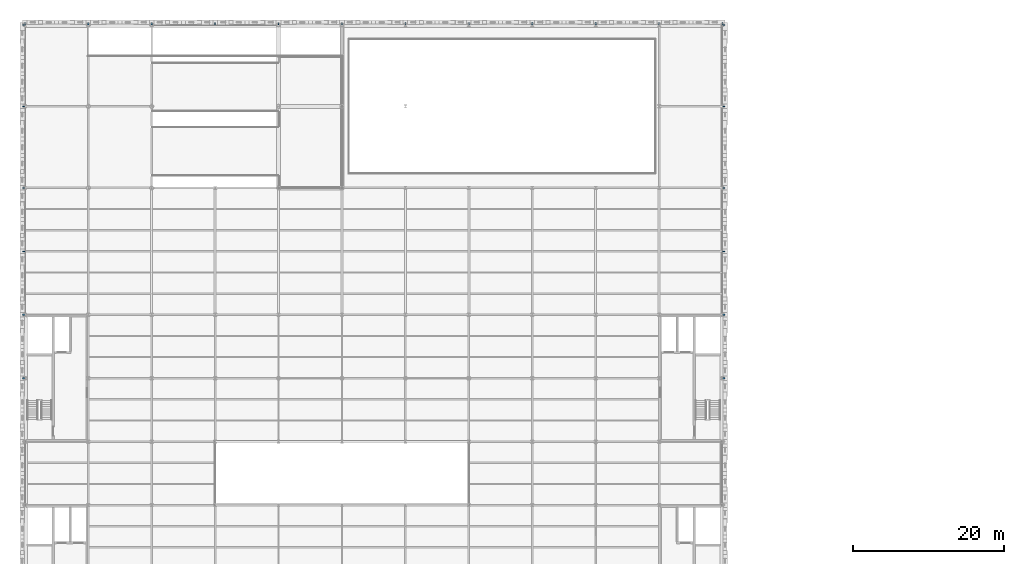
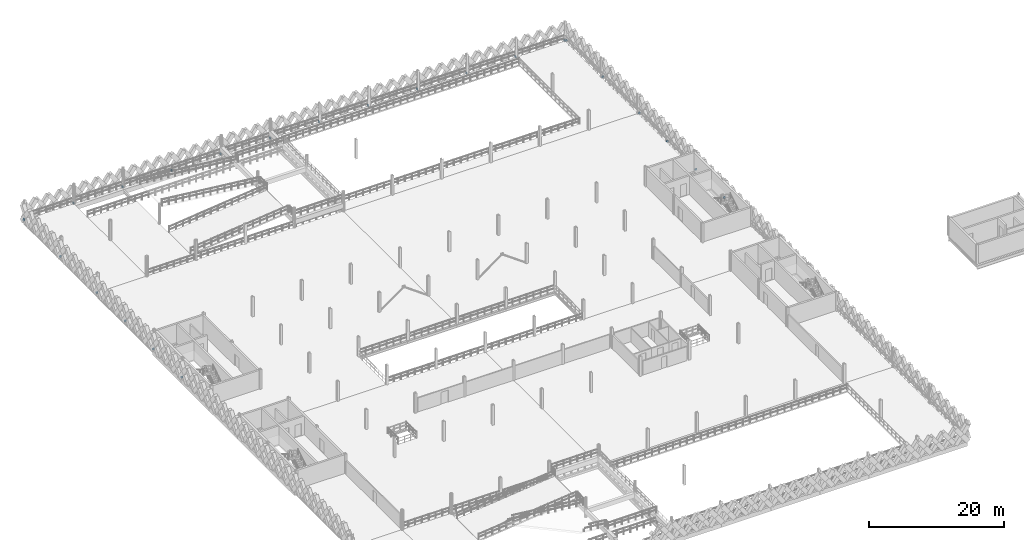
# One storey, part 46 of 74: 24 members.
"""IFC4 building model written with IfcOpenShell, lengths in metres."""

from ifc_helpers import new_model, si_unit, direction, frame, origin, origin_2d, place, context, subcontext, project, spatial, hollow_rectangle, extrude, material, material_profile, profile_set, type_object, element, save


model = new_model("IFC4")

# Units and contexts
model_context = context("Model", 3, precision=1e-05, world=origin(), true_north=direction((0.0, 1.0)))
body_context = subcontext(model_context, "Body", "Model", "MODEL_VIEW")
ifc_project = project(units=[si_unit("LENGTHUNIT", "METRE"), si_unit("AREAUNIT", "SQUARE_METRE"), si_unit("VOLUMEUNIT", "CUBIC_METRE"), si_unit("PLANEANGLEUNIT", "RADIAN"), si_unit("MASSUNIT", "GRAM", prefix="KILO"), si_unit("THERMODYNAMICTEMPERATUREUNIT", "KELVIN"), si_unit("POWERUNIT", "WATT")], contexts=[model_context])

# Site, building, storey
site_placement = place(None, origin())
site = spatial("IfcSite", under=ifc_project, at=site_placement, CompositionType="ELEMENT")
building_placement = place(site_placement, origin())
building = spatial("IfcBuilding", under=site, at=building_placement, Name="Tembeka Court Mobility Hub", CompositionType="ELEMENT")
storey_placement = place(building_placement, frame((0.0, 0.0, 12.60009765625)))
storey = spatial("IfcBuildingStorey", under=building, at=storey_placement, Name="L03", CompositionType="ELEMENT", Elevation=12.60009765625)

# Members
ifc_material = material(Name="Steel S355", Category="steel")
ifc_material_profile = material_profile(ifc_material, hollow_rectangle(XDim=0.14990234375, YDim=0.300048828125, WallThickness=0.010009765625, at=origin_2d()), Name="RHS 300x150x10")
ifc_profile_set = profile_set([ifc_material_profile], Name="Steel S355")
member_type = type_object("IfcMemberType", Name="MEM-ST03", PredefinedType="STRUT", material=ifc_profile_set)
for number, where, z_axis, x_axis, name in (
    (1, (0.0, 118.800048828125, 0.02001953125), (0.0, 1.0, 0.0), (-1.0, 0.0, 0.0), "Lattice outrigger tie SR03 (L03-Y-0)"),
    (2, (8.39990234375, 118.800048828125, 0.02001953125), (0.0, 1.0, 0.0), (-1.0, 0.0, 0.0), "Lattice outrigger tie SR03 (L03-Y-8)"),
    (3, (16.800048828125, 118.800048828125, 0.02001953125), (0.0, 1.0, 0.0), (-1.0, 0.0, 0.0), "Lattice outrigger tie SR03 (L03-Y-16)"),
    (4, (25.199951171875, 118.800048828125, 0.02001953125), (0.0, 1.0, 0.0), (-1.0, 0.0, 0.0), "Lattice outrigger tie SR03 (L03-Y-25)"),
    (5, (33.60009765625, 118.800048828125, 0.02001953125), (0.0, 1.0, 0.0), (-1.0, 0.0, 0.0), "Lattice outrigger tie SR03 (L03-Y-33)"),
    (6, (42.0, 118.800048828125, 0.02001953125), (0.0, 1.0, 0.0), (-1.0, 0.0, 0.0), "Lattice outrigger tie SR03 (L03-Y-42)"),
    (7, (50.39990234375, 118.800048828125, 0.02001953125), (0.0, 1.0, 0.0), (-1.0, 0.0, 0.0), "Lattice outrigger tie SR03 (L03-Y-50)"),
    (8, (58.800048828125, 118.800048828125, 0.02001953125), (0.0, 1.0, 0.0), (-1.0, 0.0, 0.0), "Lattice outrigger tie SR03 (L03-Y-58)"),
    (9, (67.199951171875, 118.800048828125, 0.02001953125), (0.0, 1.0, 0.0), (-1.0, 0.0, 0.0), "Lattice outrigger tie SR03 (L03-Y-67)"),
    (10, (75.60009765625, 118.800048828125, 0.02001953125), (0.0, 1.0, 0.0), (-1.0, 0.0, 0.0), "Lattice outrigger tie SR03 (L03-Y-75)"),
    (11, (84.0, 118.800048828125, 0.02001953125), (0.0, 1.0, 0.0), (-1.0, 0.0, 0.0), "Lattice outrigger tie SR03 (L03-Y-84)"),
    (12, (92.39990234375, 118.800048828125, 0.02001953125), (0.0, 1.0, 0.0), (-1.0, 0.0, 0.0), "Lattice outrigger tie SR03 (L03-Y-92)"),
):
    element("IfcMember", number, at=place(storey_placement, frame(where, z_axis=z_axis, x_axis=x_axis)), inside=storey, type_object=member_type, Name=name, PredefinedType="STRUT", context=body_context, shape_type="SweptSolid", body=[
        extrude(hollow_rectangle(XDim=0.14990234375, YDim=0.300048828125, WallThickness=0.010009765625, at=origin_2d()), origin(), (0.0, 0.0, 1.0), 0.33984375),
    ])
for number, where, z_axis, x_axis, name in (
    (13, (0.0, 72.0, 0.02001953125), (-1.0, 0.0, 0.0), (0.0, -1.0, 0.0), "Lattice outrigger tie SR03 (L03-X-72)"),
    (14, (92.39990234375, 72.0, 0.02001953125), (1.0, 0.0, 0.0), (0.0, 1.0, 0.0), "Lattice outrigger tie SR03 (L03-X-72)"),
    (15, (0.0, 80.39990234375, 0.02001953125), (-1.0, 0.0, 0.0), (0.0, -1.0, 0.0), "Lattice outrigger tie SR03 (L03-X-80)"),
    (16, (92.39990234375, 80.39990234375, 0.02001953125), (1.0, 0.0, 0.0), (0.0, 1.0, 0.0), "Lattice outrigger tie SR03 (L03-X-80)"),
    (17, (0.0, 88.800048828125, 0.02001953125), (-1.0, 0.0, 0.0), (0.0, -1.0, 0.0), "Lattice outrigger tie SR03 (L03-X-88)"),
    (18, (92.39990234375, 88.800048828125, 0.02001953125), (1.0, 0.0, 0.0), (0.0, 1.0, 0.0), "Lattice outrigger tie SR03 (L03-X-88)"),
    (19, (0.0, 97.199951171875, 0.02001953125), (-1.0, 0.0, 0.0), (0.0, -1.0, 0.0), "Lattice outrigger tie SR03 (L03-X-97)"),
    (20, (92.39990234375, 97.199951171875, 0.02001953125), (1.0, 0.0, 0.0), (0.0, 1.0, 0.0), "Lattice outrigger tie SR03 (L03-X-97)"),
    (21, (0.0, 108.0, 0.02001953125), (-1.0, 0.0, 0.0), (0.0, -1.0, 0.0), "Lattice outrigger tie SR03 (L03-X-108)"),
    (22, (92.39990234375, 108.0, 0.02001953125), (1.0, 0.0, 0.0), (0.0, 1.0, 0.0), "Lattice outrigger tie SR03 (L03-X-108)"),
    (23, (0.0, 118.800048828125, 0.02001953125), (-1.0, 0.0, 0.0), (0.0, -1.0, 0.0), "Lattice outrigger tie SR03 (L03-X-118)"),
    (24, (92.39990234375, 118.800048828125, 0.02001953125), (1.0, 0.0, 0.0), (0.0, 1.0, 0.0), "Lattice outrigger tie SR03 (L03-X-118)"),
):
    element("IfcMember", number, at=place(storey_placement, frame(where, z_axis=z_axis, x_axis=x_axis)), inside=storey, type_object=member_type, Name=name, PredefinedType="STRUT", context=body_context, shape_type="SweptSolid", body=[
        extrude(hollow_rectangle(XDim=0.14990234375, YDim=0.300048828125, WallThickness=0.010009765625, at=origin_2d()), origin(), (0.0, 0.0, 1.0), 0.340087890625),
    ])

save(model, "model.ifc")
